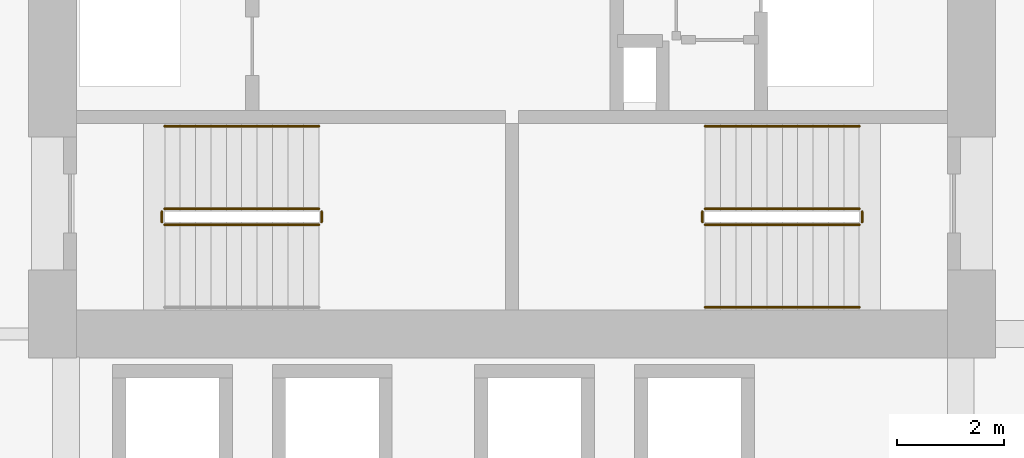
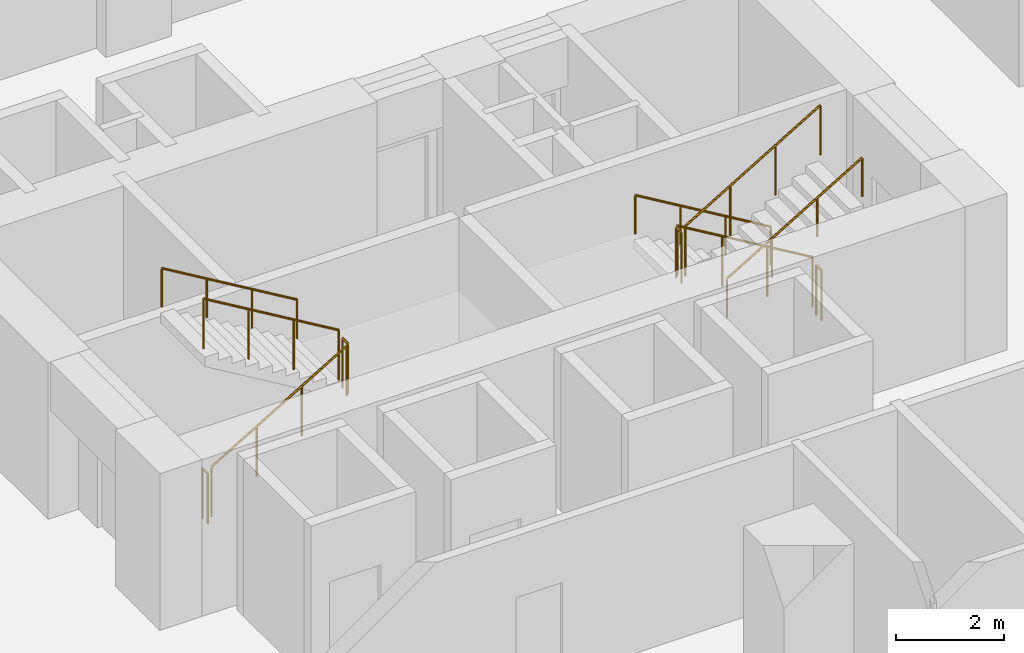
# One storey, part 20 of 22: 11 railings.
"""IFC4 building model written with IfcOpenShell, lengths in metres."""

import ifcopenshell
import ifcopenshell.guid

model = None  # the IFC model being written
_history = None  # IfcOwnerHistory: only IFC2X3 demands one
_inside = {}  # id of a spatial element -> (the spatial element, [elements in it])
_under = {}  # id of a project, library or spatial element -> (it, [spatial elements below it])
_declared = {}  # id of a project -> (the project, [libraries it declares])
_typed = {}  # id of a type object -> (the type object, [elements of that type])
_made_of = {}  # id of a material, layer set ... -> (it, [elements and type objects made of it])


def new_model(schema):
    """Start an empty IFC model of exactly this schema.

    Asked for "IFC4X3", IfcOpenShell would pick the latest addendum, in which some entities
    have other attributes; the version numbers below select the first issue.
    IFC2X3 requires an IfcOwnerHistory on every rooted entity: one is made here for all.
    """
    global model, _history
    if schema == "IFC4X3":
        model = ifcopenshell.file(schema_version=(4, 3, 0, 0))
    else:
        model = ifcopenshell.file(schema=schema)
    _inside.clear()
    _under.clear()
    _declared.clear()
    _typed.clear()
    _made_of.clear()
    _history = None
    if model.schema == "IFC2X3":
        org = make("IfcOrganization", Name="unknown")
        user = make(
            "IfcPersonAndOrganization",
            ThePerson=make("IfcPerson", FamilyName="unknown"),
            TheOrganization=org,
        )
        app = make(
            "IfcApplication",
            ApplicationDeveloper=org,
            Version="unknown",
            ApplicationFullName="unknown",
            ApplicationIdentifier="unknown",
        )
        _history = make(
            "IfcOwnerHistory",
            OwningUser=user,
            OwningApplication=app,
            ChangeAction="ADDED",
            CreationDate=0,
        )
    return model


def make(cls, **values):
    """One entity of the class cls with the attributes given. An attribute that is None is left unset."""
    return model.create_entity(
        cls, **{name: value for name, value in values.items() if value is not None}
    )


def rooted(cls, **values):
    """An entity with a GlobalId (a new one), such as an element, a storey or a relation."""
    return make(cls, GlobalId=ifcopenshell.guid.new(), OwnerHistory=_history, **values)


def si_unit(unit_type, name, prefix=None):
    """IfcSIUnit, for example si_unit("LENGTHUNIT", "METRE", prefix="MILLI")."""
    return make("IfcSIUnit", UnitType=unit_type, Prefix=prefix, Name=name)


def assignment(units):
    """IfcUnitAssignment: the units of a project."""
    return None if units is None else make("IfcUnitAssignment", Units=units)


def point(xyz):
    """IfcCartesianPoint."""
    return None if xyz is None else make("IfcCartesianPoint", Coordinates=xyz)


def direction(xyz):
    """IfcDirection."""
    return None if xyz is None else make("IfcDirection", DirectionRatios=xyz)


def frame(location, z_axis=None, x_axis=None):
    """IfcAxis2Placement3D, a coordinate frame: its origin and axes. An axis left out is left unset."""
    return make(
        "IfcAxis2Placement3D",
        Location=point(location),
        Axis=direction(z_axis),
        RefDirection=direction(x_axis),
    )


def frame_2d(location, x_axis=None):
    """IfcAxis2Placement2D, a coordinate frame in the plane: its origin and x axis."""
    return make(
        "IfcAxis2Placement2D", Location=point(location), RefDirection=direction(x_axis)
    )


def origin():
    """The frame at (0, 0, 0) with its axes left unset."""
    return frame((0.0, 0.0, 0.0))


def origin_2d():
    """The frame at (0, 0) in the plane with its x axis left unset."""
    return frame_2d((0.0, 0.0))


def place(relative_to, where):
    """IfcLocalPlacement: puts the frame where relative to a parent placement (None: the world)."""
    return make(
        "IfcLocalPlacement", PlacementRelTo=relative_to, RelativePlacement=where
    )


def context(
    kind, dimensions, precision=None, world=None, true_north=None, identifier=None
):
    """IfcGeometricRepresentationContext, for example the 3D "Model" context."""
    return make(
        "IfcGeometricRepresentationContext",
        ContextIdentifier=identifier,
        ContextType=kind,
        CoordinateSpaceDimension=dimensions,
        Precision=precision,
        WorldCoordinateSystem=world,
        TrueNorth=true_north,
    )


def subcontext(parent, identifier, kind, view, scale=None):
    """IfcGeometricRepresentationSubContext, for example "Body" below "Model"."""
    return make(
        "IfcGeometricRepresentationSubContext",
        ContextIdentifier=identifier,
        ContextType=kind,
        ParentContext=parent,
        TargetScale=scale,
        TargetView=view,
    )


def project(units=None, contexts=None):
    """IfcProject with its units and contexts."""
    return rooted(
        "IfcProject",
        Name="project",
        RepresentationContexts=contexts,
        UnitsInContext=assignment(units),
    )


def spatial(cls, under=None, at=None, **own):
    """A site, building, storey or space (cls), placed at a placement, below another one or the project."""
    s = rooted(cls, ObjectPlacement=at, **own)
    if under is not None:
        _under.setdefault(under.id(), (under, []))[1].append(s)
    return s


def profile(cls, at=None, kind="AREA", **sizes):
    """A parametric profile (cls). Its sizes go by their IFC names, for example OverallWidth=200.0."""
    return make(cls, ProfileType=kind, Position=at, **sizes)


def circle(**sizes):
    """IfcCircleProfileDef."""
    return profile("IfcCircleProfileDef", **sizes)


def extrude(swept, where, along, depth):
    """IfcExtrudedAreaSolid: the profile swept, set in the frame where, extruded along a direction by depth."""
    return make(
        "IfcExtrudedAreaSolid",
        SweptArea=swept,
        Position=where,
        ExtrudedDirection=direction(along),
        Depth=depth,
    )


def shape(context_of_items, identifier, shape_type, items):
    """IfcShapeRepresentation: the items that make up one representation, for example the "Body"."""
    return make(
        "IfcShapeRepresentation",
        ContextOfItems=context_of_items,
        RepresentationIdentifier=identifier,
        RepresentationType=shape_type,
        Items=items,
    )


def material(Name=None, Category=None):
    """IfcMaterial."""
    return make("IfcMaterial", Name=Name, Category=Category)


def made_of(thing, what):
    """Note that an element or type object is made of a material, layer set ...; save() writes the relation."""
    if what is not None:
        _made_of.setdefault(what.id(), (what, []))[1].append(thing)
    return thing


def type_object(cls, material=None, **own):
    """A type object (cls), such as IfcWallType, which elements share."""
    return made_of(rooted(cls, **own), material)


def element(
    cls,
    number,
    at=None,
    inside=None,
    cuts=None,
    type_object=None,
    material=None,
    context=None,
    identifier="Body",
    shape_type=None,
    held_by="IfcProductDefinitionShape",
    body=None,
    shapes=None,
    **own,
):
    """One element of the class cls, such as IfcWall. Its Tag is "e" and its number.

    at: its placement. inside: the storey or other place that contains it. cuts: it is an
    opening in that element (IfcRelVoidsElement). A single representation is given by context,
    identifier, shape_type and body (its items); several are given by shapes. held_by: the class
    of the entity that holds the representations. save() writes the other relations.
    """
    e = rooted(cls, Tag="e%d" % number, ObjectPlacement=at, **own)
    if body is not None:
        shapes = [shape(context, identifier, shape_type, body)]
    if shapes is not None:
        e.Representation = make(held_by, Representations=shapes)
    if inside is not None:
        _inside.setdefault(inside.id(), (inside, []))[1].append(e)
    if cuts is not None:
        rooted(
            "IfcRelVoidsElement", RelatingBuildingElement=cuts, RelatedOpeningElement=e
        )
    if type_object is not None:
        _typed.setdefault(type_object.id(), (type_object, []))[1].append(e)
    return made_of(e, material)


def aggregate(whole, parts):
    """IfcRelAggregates: a whole, such as a stair, and the parts it consists of."""
    return rooted("IfcRelAggregates", RelatingObject=whole, RelatedObjects=parts)


def save(model, path):
    """Write the relations noted so far, then the file.

    IfcRelAggregates (storeys below a building ...), IfcRelContainedInSpatialStructure (elements
    in a storey), IfcRelDefinesByType, IfcRelAssociatesMaterial and IfcRelDeclares: one each for
    every whole, place, type object, material and project.
    """
    for whole, parts in _under.values():
        aggregate(whole, parts)
    for where, things in _inside.values():
        rooted(
            "IfcRelContainedInSpatialStructure",
            RelatedElements=things,
            RelatingStructure=where,
        )
    for kind, things in _typed.values():
        rooted("IfcRelDefinesByType", RelatedObjects=things, RelatingType=kind)
    for what, things in _made_of.values():
        rooted("IfcRelAssociatesMaterial", RelatedObjects=things, RelatingMaterial=what)
    for by, libraries in _declared.values():
        rooted("IfcRelDeclares", RelatingContext=by, RelatedDefinitions=libraries)
    model.write(path)


model = new_model("IFC4")

# Units and contexts
model_context = context("Model", 3, precision=1e-05, world=origin(), true_north=direction((0.0, 1.0)))
body_context = subcontext(model_context, "Body", "Model", "MODEL_VIEW")
ifc_project = project(units=[si_unit("LENGTHUNIT", "METRE"), si_unit("AREAUNIT", "SQUARE_METRE"), si_unit("VOLUMEUNIT", "CUBIC_METRE"), si_unit("PLANEANGLEUNIT", "RADIAN"), si_unit("MASSUNIT", "GRAM", prefix="KILO")], contexts=[model_context])

# Site, building, storey
site_placement = place(None, origin())
site = spatial("IfcSite", under=ifc_project, at=site_placement, CompositionType="ELEMENT")
building_placement = place(site_placement, origin())
building = spatial("IfcBuilding", under=site, at=building_placement, Name="Koriwani Terraces Tower", CompositionType="ELEMENT")
storey_placement = place(building_placement, frame((0.0, 0.0, 62.39990234375)))
storey = spatial("IfcBuildingStorey", under=building, at=storey_placement, Name="L14", CompositionType="ELEMENT", Elevation=62.39990234375)

# Railings
ifc_material = material(Name="Steel ASTM A572 Grade 50", Category="steel")
railing_type_1 = type_object("IfcRailingType", Name="GUARD_STAIR_WELL_1120", PredefinedType="GUARDRAIL", material=ifc_material)
railing_1_placement = place(storey_placement, frame((43.85009765625, 18.85009765625, 0.1728515625)))
element("IfcRailing", 1, at=railing_1_placement, inside=storey, type_object=railing_type_1, Name="L14 ST-E1 stair guard 1", PredefinedType="GUARDRAIL", context=body_context, shape_type="SweptSolid", body=[
    extrude(circle(Radius=0.02392578125, at=origin_2d()), frame((0.0, 0.0, 1.1259765625), z_axis=(0.859141464434, 0.0, 0.511738159696), x_axis=(0.0, 1.0, 0.0)), (0.0, 0.0, 1.0), 3.375244140625),
    extrude(circle(Radius=0.02099609375, at=origin_2d()), origin(), (0.0, 0.0, 1.0), 1.101806640625),
    extrude(circle(Radius=0.02099609375, at=origin_2d()), frame((0.966552734375, 0.0, 0.57568359375)), (0.0, 0.0, 1.0), 1.101806640625),
    extrude(circle(Radius=0.02099609375, at=origin_2d()), frame((1.933349609375, 0.0, 1.151611328125)), (0.0, 0.0, 1.0), 1.101806640625),
    extrude(circle(Radius=0.02099609375, at=origin_2d()), frame((2.89990234375, 0.0, 1.727294921875)), (0.0, 0.0, 1.0), 1.101806640625),
])
railing_2_placement = place(storey_placement, frame((46.800048828125, 18.89990234375, 1.900146484375)))
element("IfcRailing", 2, at=railing_2_placement, inside=storey, type_object=railing_type_1, Name="L14 ST-E1 stair guard 2", PredefinedType="GUARDRAIL", context=body_context, shape_type="SweptSolid", body=[
    extrude(circle(Radius=0.02392578125, at=origin_2d()), frame((0.0, 0.0, 1.1259765625), z_axis=(0.0, 1.0, 0.0), x_axis=(-1.0, 0.0, 0.0)), (0.0, 0.0, 1.0), 0.2001953125),
    extrude(circle(Radius=0.02099609375, at=origin_2d()), origin(), (0.0, 0.0, 1.0), 1.101806640625),
    extrude(circle(Radius=0.02099609375, at=origin_2d()), frame((0.0, 0.2001953125, 0.0)), (0.0, 0.0, 1.0), 1.101806640625),
])
railing_3_placement = place(storey_placement, frame((46.75, 19.14990234375, 2.07275390625)))
element("IfcRailing", 3, at=railing_3_placement, inside=storey, type_object=railing_type_1, Name="L14 ST-E1 stair guard 3", PredefinedType="GUARDRAIL", context=body_context, shape_type="SweptSolid", body=[
    extrude(circle(Radius=0.02392578125, at=origin_2d()), frame((0.0, 0.0, 1.1259765625), z_axis=(-0.859141464434, 0.0, 0.511738159696), x_axis=(0.0, -1.0, 0.0)), (0.0, 0.0, 1.0), 3.375244140625),
    extrude(circle(Radius=0.02099609375, at=origin_2d()), origin(), (0.0, 0.0, 1.0), 1.101806640625),
    extrude(circle(Radius=0.02099609375, at=origin_2d()), frame((-0.966552734375, 0.0, 0.57568359375)), (0.0, 0.0, 1.0), 1.101806640625),
    extrude(circle(Radius=0.02099609375, at=origin_2d()), frame((-1.933349609375, 0.0, 1.151611328125)), (0.0, 0.0, 1.0), 1.101806640625),
    extrude(circle(Radius=0.02099609375, at=origin_2d()), frame((-2.89990234375, 0.0, 1.727294921875)), (0.0, 0.0, 1.0), 1.101806640625),
])
railing_4_placement = place(storey_placement, frame((43.800048828125, 18.89990234375, 0.0)))
element("IfcRailing", 4, at=railing_4_placement, inside=storey, type_object=railing_type_1, Name="L14 ST-E1 stair guard 4", PredefinedType="GUARDRAIL", context=body_context, shape_type="SweptSolid", body=[
    extrude(circle(Radius=0.02392578125, at=origin_2d()), frame((0.0, 0.0, 1.1259765625), z_axis=(0.0, 1.0, 0.0), x_axis=(-1.0, 0.0, 0.0)), (0.0, 0.0, 1.0), 0.2001953125),
    extrude(circle(Radius=0.02099609375, at=origin_2d()), origin(), (0.0, 0.0, 1.0), 1.101806640625),
    extrude(circle(Radius=0.02099609375, at=origin_2d()), frame((0.0, 0.2001953125, 0.0)), (0.0, 0.0, 1.0), 1.101806640625),
])
railing_5_placement = place(storey_placement, frame((56.89990234375, 19.14990234375, 0.1728515625)))
element("IfcRailing", 5, at=railing_5_placement, inside=storey, type_object=railing_type_1, Name="L14 ST-E2 stair guard 1", PredefinedType="GUARDRAIL", context=body_context, shape_type="SweptSolid", body=[
    extrude(circle(Radius=0.02392578125, at=origin_2d()), frame((0.0, 0.0, 1.1259765625), z_axis=(-0.859141464434, 0.0, 0.511738159696), x_axis=(0.0, -1.0, 0.0)), (0.0, 0.0, 1.0), 3.375244140625),
    extrude(circle(Radius=0.02099609375, at=origin_2d()), origin(), (0.0, 0.0, 1.0), 1.101806640625),
    extrude(circle(Radius=0.02099609375, at=origin_2d()), frame((-0.966552734375, 0.0, 0.57568359375)), (0.0, 0.0, 1.0), 1.101806640625),
    extrude(circle(Radius=0.02099609375, at=origin_2d()), frame((-1.933349609375, 0.0, 1.151611328125)), (0.0, 0.0, 1.0), 1.101806640625),
    extrude(circle(Radius=0.02099609375, at=origin_2d()), frame((-2.89990234375, 0.0, 1.727294921875)), (0.0, 0.0, 1.0), 1.101806640625),
])
railing_6_placement = place(storey_placement, frame((53.949951171875, 19.10009765625, 1.900146484375)))
element("IfcRailing", 6, at=railing_6_placement, inside=storey, type_object=railing_type_1, Name="L14 ST-E2 stair guard 2", PredefinedType="GUARDRAIL", context=body_context, shape_type="SweptSolid", body=[
    extrude(circle(Radius=0.02392578125, at=origin_2d()), frame((0.0, 0.0, 1.1259765625), z_axis=(0.0, -1.0, 0.0), x_axis=(1.0, 0.0, 0.0)), (0.0, 0.0, 1.0), 0.2001953125),
    extrude(circle(Radius=0.02099609375, at=origin_2d()), origin(), (0.0, 0.0, 1.0), 1.101806640625),
    extrude(circle(Radius=0.02099609375, at=origin_2d()), frame((0.0, -0.2001953125, 0.0)), (0.0, 0.0, 1.0), 1.101806640625),
])
railing_7_placement = place(storey_placement, frame((54.0, 18.85009765625, 2.07275390625)))
element("IfcRailing", 7, at=railing_7_placement, inside=storey, type_object=railing_type_1, Name="L14 ST-E2 stair guard 3", PredefinedType="GUARDRAIL", context=body_context, shape_type="SweptSolid", body=[
    extrude(circle(Radius=0.02392578125, at=origin_2d()), frame((0.0, 0.0, 1.1259765625), z_axis=(0.859141464434, 0.0, 0.511738159696), x_axis=(0.0, 1.0, 0.0)), (0.0, 0.0, 1.0), 3.375244140625),
    extrude(circle(Radius=0.02099609375, at=origin_2d()), origin(), (0.0, 0.0, 1.0), 1.101806640625),
    extrude(circle(Radius=0.02099609375, at=origin_2d()), frame((0.966552734375, 0.0, 0.57568359375)), (0.0, 0.0, 1.0), 1.101806640625),
    extrude(circle(Radius=0.02099609375, at=origin_2d()), frame((1.933349609375, 0.0, 1.151611328125)), (0.0, 0.0, 1.0), 1.101806640625),
    extrude(circle(Radius=0.02099609375, at=origin_2d()), frame((2.89990234375, 0.0, 1.727294921875)), (0.0, 0.0, 1.0), 1.101806640625),
])
railing_8_placement = place(storey_placement, frame((56.949951171875, 19.10009765625, 0.0)))
element("IfcRailing", 8, at=railing_8_placement, inside=storey, type_object=railing_type_1, Name="L14 ST-E2 stair guard 4", PredefinedType="GUARDRAIL", context=body_context, shape_type="SweptSolid", body=[
    extrude(circle(Radius=0.02392578125, at=origin_2d()), frame((0.0, 0.0, 1.1259765625), z_axis=(0.0, -1.0, 0.0), x_axis=(1.0, 0.0, 0.0)), (0.0, 0.0, 1.0), 0.2001953125),
    extrude(circle(Radius=0.02099609375, at=origin_2d()), origin(), (0.0, 0.0, 1.0), 1.101806640625),
    extrude(circle(Radius=0.02099609375, at=origin_2d()), frame((0.0, -0.2001953125, 0.0)), (0.0, 0.0, 1.0), 1.101806640625),
])
railing_type_2 = type_object("IfcRailingType", Name="HANDRAIL_STAIR_920", PredefinedType="HANDRAIL", material=ifc_material)
for number, where, name in (
    (9, (46.75, 20.699951171875, 2.07275390625), "L14 ST-E1 stair handrail 2"),
    (10, (56.89990234375, 20.699951171875, 0.1728515625), "L14 ST-E2 stair handrail 1"),
):
    element("IfcRailing", number, at=place(storey_placement, frame(where)), inside=storey, type_object=railing_type_2, Name=name, PredefinedType="HANDRAIL", context=body_context, shape_type="SweptSolid", body=[
        extrude(circle(Radius=0.02392578125, at=origin_2d()), frame((0.0, 0.0, 0.8759765625), z_axis=(-0.859141464434, 0.0, 0.511738159696), x_axis=(0.0, -1.0, 0.0)), (0.0, 0.0, 1.0), 3.375244140625),
        extrude(circle(Radius=0.02099609375, at=origin_2d()), origin(), (0.0, 0.0, 1.0), 0.851806640625),
        extrude(circle(Radius=0.02099609375, at=origin_2d()), frame((-0.966552734375, 0.0, 0.57568359375)), (0.0, 0.0, 1.0), 0.851806640625),
        extrude(circle(Radius=0.02099609375, at=origin_2d()), frame((-1.933349609375, 0.0, 1.151611328125)), (0.0, 0.0, 1.0), 0.851806640625),
        extrude(circle(Radius=0.02099609375, at=origin_2d()), frame((-2.89990234375, 0.0, 1.727294921875)), (0.0, 0.0, 1.0), 0.851806640625),
    ])
railing_9_placement = place(storey_placement, frame((54.0, 17.300048828125, 2.07275390625)))
element("IfcRailing", 11, at=railing_9_placement, inside=storey, type_object=railing_type_2, Name="L14 ST-E2 stair handrail 2", PredefinedType="HANDRAIL", context=body_context, shape_type="SweptSolid", body=[
    extrude(circle(Radius=0.02392578125, at=origin_2d()), frame((0.0, 0.0, 0.8759765625), z_axis=(0.859141464434, 0.0, 0.511738159696), x_axis=(0.0, 1.0, 0.0)), (0.0, 0.0, 1.0), 3.375244140625),
    extrude(circle(Radius=0.02099609375, at=origin_2d()), origin(), (0.0, 0.0, 1.0), 0.851806640625),
    extrude(circle(Radius=0.02099609375, at=origin_2d()), frame((0.966552734375, 0.0, 0.57568359375)), (0.0, 0.0, 1.0), 0.851806640625),
    extrude(circle(Radius=0.02099609375, at=origin_2d()), frame((1.933349609375, 0.0, 1.151611328125)), (0.0, 0.0, 1.0), 0.851806640625),
    extrude(circle(Radius=0.02099609375, at=origin_2d()), frame((2.89990234375, 0.0, 1.727294921875)), (0.0, 0.0, 1.0), 0.851806640625),
])

save(model, "model.ifc")
